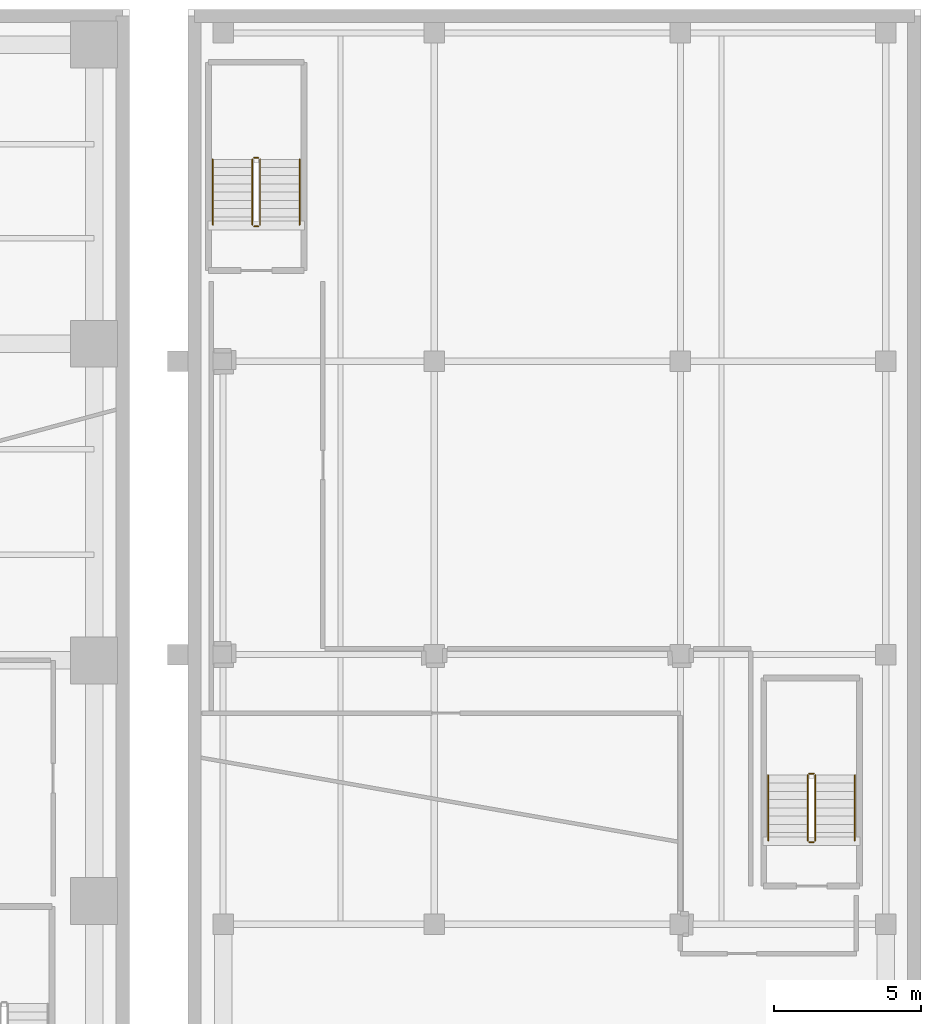
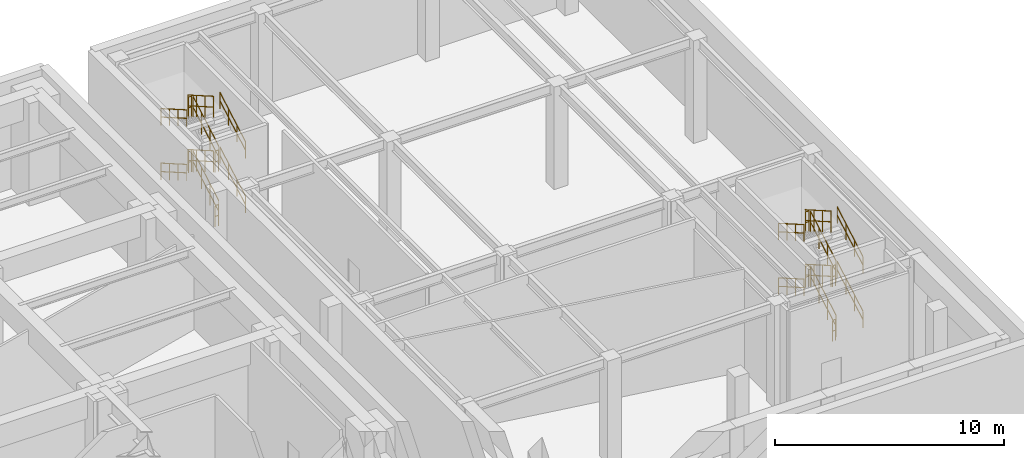
# One storey, part 12 of 12: 24 railings.
"""IFC4 building model written with IfcOpenShell, lengths in metres."""

from ifc_helpers import new_model, si_unit, direction, frame, origin, origin_2d, place, context, subcontext, project, spatial, circle, extrude, material, type_object, element, save


model = new_model("IFC4")

# Units and contexts
model_context = context("Model", 3, precision=1e-05, world=origin(), true_north=direction((0.0, 1.0)))
body_context = subcontext(model_context, "Body", "Model", "MODEL_VIEW")
ifc_project = project(units=[si_unit("LENGTHUNIT", "METRE"), si_unit("AREAUNIT", "SQUARE_METRE"), si_unit("VOLUMEUNIT", "CUBIC_METRE"), si_unit("PLANEANGLEUNIT", "RADIAN"), si_unit("MASSUNIT", "GRAM", prefix="KILO")], contexts=[model_context])

# Site, building, storey
site_placement = place(None, origin())
site = spatial("IfcSite", under=ifc_project, at=site_placement, CompositionType="ELEMENT")
building_placement = place(site_placement, origin())
building = spatial("IfcBuilding", under=site, at=building_placement, Name="Talar Marvaseh", CompositionType="ELEMENT")
storey_placement = place(building_placement, frame((0.0, 0.0, -5.800048828125)))
storey = spatial("IfcBuildingStorey", under=building, at=storey_placement, Name="B01", CompositionType="ELEMENT", Elevation=-5.800048828125)

# Railings
ifc_material = material(Name="Stainless Steel Grade 316", Category="steel")
railing_type_1 = type_object("IfcRailingType", Name="Brushed Stainless Wall Pitch Handrail 900", PredefinedType="HANDRAIL", material=ifc_material)
railing_1_placement = place(storey_placement, frame((57.81005859375, 40.64990234375, 0.1611328125)))
element("IfcRailing", 1, at=railing_1_placement, inside=storey, type_object=railing_type_1, Name="B01 MH-ST1 stair handrail 1", PredefinedType="HANDRAIL", context=body_context, shape_type="SweptSolid", body=[
    extrude(circle(Radius=0.02392578125, at=origin_2d()), frame((0.0, 0.0, 0.8759765625), z_axis=(0.0, 0.866768490956, 0.498710720845), x_axis=(-1.0, 0.0, 0.0)), (0.0, 0.0, 1.0), 2.584228515625),
    extrude(circle(Radius=0.02392578125, at=origin_2d()), frame((0.0, 0.0, 0.42578125), z_axis=(0.0, 0.866768490956, 0.498710720845), x_axis=(-1.0, 0.0, 0.0)), (0.0, 0.0, 1.0), 2.584228515625),
    extrude(circle(Radius=0.02099609375, at=origin_2d()), origin(), (0.0, 0.0, 1.0), 0.851806640625),
    extrude(circle(Radius=0.02099609375, at=origin_2d()), frame((0.0, 0.74658203125, 0.4296875)), (0.0, 0.0, 1.0), 0.851806640625),
    extrude(circle(Radius=0.02099609375, at=origin_2d()), frame((0.0, 1.493408203125, 0.859130859375)), (0.0, 0.0, 1.0), 0.851806640625),
    extrude(circle(Radius=0.02099609375, at=origin_2d()), frame((0.0, 2.239990234375, 1.288818359375)), (0.0, 0.0, 1.0), 0.851806640625),
])
railing_2_placement = place(storey_placement, frame((54.85009765625, 42.889892578125, 1.611083984375)))
element("IfcRailing", 2, at=railing_2_placement, inside=storey, type_object=railing_type_1, Name="B01 MH-ST1 stair handrail 2", PredefinedType="HANDRAIL", context=body_context, shape_type="SweptSolid", body=[
    extrude(circle(Radius=0.02392578125, at=origin_2d()), frame((0.0, 0.0, 0.8759765625), z_axis=(0.0, -0.866727653441, 0.498781690482), x_axis=(1.0, 0.0, 0.0)), (0.0, 0.0, 1.0), 2.58447265625),
    extrude(circle(Radius=0.02392578125, at=origin_2d()), frame((0.0, 0.0, 0.42578125), z_axis=(0.0, -0.866727653441, 0.498781690482), x_axis=(1.0, 0.0, 0.0)), (0.0, 0.0, 1.0), 2.58447265625),
    extrude(circle(Radius=0.02099609375, at=origin_2d()), origin(), (0.0, 0.0, 1.0), 0.851806640625),
    extrude(circle(Radius=0.02099609375, at=origin_2d()), frame((0.0, -0.74658203125, 0.4296875)), (0.0, 0.0, 1.0), 0.851806640625),
    extrude(circle(Radius=0.02099609375, at=origin_2d()), frame((0.0, -1.493408203125, 0.859375)), (0.0, 0.0, 1.0), 0.851806640625),
    extrude(circle(Radius=0.02099609375, at=origin_2d()), frame((0.0, -2.239990234375, 1.2890625)), (0.0, 0.0, 1.0), 0.851806640625),
])
railing_3_placement = place(storey_placement, frame((57.81005859375, 40.64990234375, 3.061279296875)))
element("IfcRailing", 3, at=railing_3_placement, inside=storey, type_object=railing_type_1, Name="B01 MH-ST1 stair handrail 3", PredefinedType="HANDRAIL", context=body_context, shape_type="SweptSolid", body=[
    extrude(circle(Radius=0.02392578125, at=origin_2d()), frame((0.0, 0.0, 0.8759765625), z_axis=(0.0, 0.866768490956, 0.498710720845), x_axis=(-1.0, 0.0, 0.0)), (0.0, 0.0, 1.0), 2.584228515625),
    extrude(circle(Radius=0.02392578125, at=origin_2d()), frame((0.0, 0.0, 0.42578125), z_axis=(0.0, 0.866768490956, 0.498710720845), x_axis=(-1.0, 0.0, 0.0)), (0.0, 0.0, 1.0), 2.584228515625),
    extrude(circle(Radius=0.02099609375, at=origin_2d()), origin(), (0.0, 0.0, 1.0), 0.851806640625),
    extrude(circle(Radius=0.02099609375, at=origin_2d()), frame((0.0, 0.74658203125, 0.4296875)), (0.0, 0.0, 1.0), 0.851806640625),
    extrude(circle(Radius=0.02099609375, at=origin_2d()), frame((0.0, 1.493408203125, 0.859130859375)), (0.0, 0.0, 1.0), 0.851806640625),
    extrude(circle(Radius=0.02099609375, at=origin_2d()), frame((0.0, 2.239990234375, 1.288818359375)), (0.0, 0.0, 1.0), 0.851806640625),
])
railing_4_placement = place(storey_placement, frame((54.85009765625, 42.889892578125, 4.51123046875)))
element("IfcRailing", 4, at=railing_4_placement, inside=storey, type_object=railing_type_1, Name="B01 MH-ST1 stair handrail 4", PredefinedType="HANDRAIL", context=body_context, shape_type="SweptSolid", body=[
    extrude(circle(Radius=0.02392578125, at=origin_2d()), frame((0.0, 0.0, 0.8759765625), z_axis=(0.0, -0.866768490956, 0.498710720845), x_axis=(1.0, 0.0, 0.0)), (0.0, 0.0, 1.0), 2.584228515625),
    extrude(circle(Radius=0.02392578125, at=origin_2d()), frame((0.0, 0.0, 0.42578125), z_axis=(0.0, -0.866768490956, 0.498710720845), x_axis=(1.0, 0.0, 0.0)), (0.0, 0.0, 1.0), 2.584228515625),
    extrude(circle(Radius=0.02099609375, at=origin_2d()), origin(), (0.0, 0.0, 1.0), 0.851806640625),
    extrude(circle(Radius=0.02099609375, at=origin_2d()), frame((0.0, -0.74658203125, 0.4296875)), (0.0, 0.0, 1.0), 0.851806640625),
    extrude(circle(Radius=0.02099609375, at=origin_2d()), frame((0.0, -1.493408203125, 0.859130859375)), (0.0, 0.0, 1.0), 0.851806640625),
    extrude(circle(Radius=0.02099609375, at=origin_2d()), frame((0.0, -2.239990234375, 1.288818359375)), (0.0, 0.0, 1.0), 0.851806640625),
])
railing_5_placement = place(storey_placement, frame((76.75, 19.64990234375, 0.1611328125)))
element("IfcRailing", 5, at=railing_5_placement, inside=storey, type_object=railing_type_1, Name="B01 MH-ST2 stair handrail 1", PredefinedType="HANDRAIL", context=body_context, shape_type="SweptSolid", body=[
    extrude(circle(Radius=0.02392578125, at=origin_2d()), frame((0.0, 0.0, 0.8759765625), z_axis=(0.0, 0.866768490956, 0.498710720845), x_axis=(-1.0, 0.0, 0.0)), (0.0, 0.0, 1.0), 2.584228515625),
    extrude(circle(Radius=0.02392578125, at=origin_2d()), frame((0.0, 0.0, 0.42578125), z_axis=(0.0, 0.866768490956, 0.498710720845), x_axis=(-1.0, 0.0, 0.0)), (0.0, 0.0, 1.0), 2.584228515625),
    extrude(circle(Radius=0.02099609375, at=origin_2d()), origin(), (0.0, 0.0, 1.0), 0.851806640625),
    extrude(circle(Radius=0.02099609375, at=origin_2d()), frame((0.0, 0.74658203125, 0.4296875)), (0.0, 0.0, 1.0), 0.851806640625),
    extrude(circle(Radius=0.02099609375, at=origin_2d()), frame((0.0, 1.493408203125, 0.859130859375)), (0.0, 0.0, 1.0), 0.851806640625),
    extrude(circle(Radius=0.02099609375, at=origin_2d()), frame((0.0, 2.239990234375, 1.288818359375)), (0.0, 0.0, 1.0), 0.851806640625),
])
railing_6_placement = place(storey_placement, frame((73.7900390625, 21.889892578125, 1.611083984375)))
element("IfcRailing", 6, at=railing_6_placement, inside=storey, type_object=railing_type_1, Name="B01 MH-ST2 stair handrail 2", PredefinedType="HANDRAIL", context=body_context, shape_type="SweptSolid", body=[
    extrude(circle(Radius=0.02392578125, at=origin_2d()), frame((0.0, 0.0, 0.8759765625), z_axis=(0.0, -0.866727653441, 0.498781690482), x_axis=(1.0, 0.0, 0.0)), (0.0, 0.0, 1.0), 2.58447265625),
    extrude(circle(Radius=0.02392578125, at=origin_2d()), frame((0.0, 0.0, 0.42578125), z_axis=(0.0, -0.866727653441, 0.498781690482), x_axis=(1.0, 0.0, 0.0)), (0.0, 0.0, 1.0), 2.58447265625),
    extrude(circle(Radius=0.02099609375, at=origin_2d()), origin(), (0.0, 0.0, 1.0), 0.851806640625),
    extrude(circle(Radius=0.02099609375, at=origin_2d()), frame((0.0, -0.74658203125, 0.4296875)), (0.0, 0.0, 1.0), 0.851806640625),
    extrude(circle(Radius=0.02099609375, at=origin_2d()), frame((0.0, -1.493408203125, 0.859375)), (0.0, 0.0, 1.0), 0.851806640625),
    extrude(circle(Radius=0.02099609375, at=origin_2d()), frame((0.0, -2.239990234375, 1.2890625)), (0.0, 0.0, 1.0), 0.851806640625),
])
railing_7_placement = place(storey_placement, frame((76.75, 19.64990234375, 3.061279296875)))
element("IfcRailing", 7, at=railing_7_placement, inside=storey, type_object=railing_type_1, Name="B01 MH-ST2 stair handrail 3", PredefinedType="HANDRAIL", context=body_context, shape_type="SweptSolid", body=[
    extrude(circle(Radius=0.02392578125, at=origin_2d()), frame((0.0, 0.0, 0.8759765625), z_axis=(0.0, 0.866768490956, 0.498710720845), x_axis=(-1.0, 0.0, 0.0)), (0.0, 0.0, 1.0), 2.584228515625),
    extrude(circle(Radius=0.02392578125, at=origin_2d()), frame((0.0, 0.0, 0.42578125), z_axis=(0.0, 0.866768490956, 0.498710720845), x_axis=(-1.0, 0.0, 0.0)), (0.0, 0.0, 1.0), 2.584228515625),
    extrude(circle(Radius=0.02099609375, at=origin_2d()), origin(), (0.0, 0.0, 1.0), 0.851806640625),
    extrude(circle(Radius=0.02099609375, at=origin_2d()), frame((0.0, 0.74658203125, 0.4296875)), (0.0, 0.0, 1.0), 0.851806640625),
    extrude(circle(Radius=0.02099609375, at=origin_2d()), frame((0.0, 1.493408203125, 0.859130859375)), (0.0, 0.0, 1.0), 0.851806640625),
    extrude(circle(Radius=0.02099609375, at=origin_2d()), frame((0.0, 2.239990234375, 1.288818359375)), (0.0, 0.0, 1.0), 0.851806640625),
])
railing_8_placement = place(storey_placement, frame((73.7900390625, 21.889892578125, 4.51123046875)))
element("IfcRailing", 8, at=railing_8_placement, inside=storey, type_object=railing_type_1, Name="B01 MH-ST2 stair handrail 4", PredefinedType="HANDRAIL", context=body_context, shape_type="SweptSolid", body=[
    extrude(circle(Radius=0.02392578125, at=origin_2d()), frame((0.0, 0.0, 0.8759765625), z_axis=(0.0, -0.866768490956, 0.498710720845), x_axis=(1.0, 0.0, 0.0)), (0.0, 0.0, 1.0), 2.584228515625),
    extrude(circle(Radius=0.02392578125, at=origin_2d()), frame((0.0, 0.0, 0.42578125), z_axis=(0.0, -0.866768490956, 0.498710720845), x_axis=(1.0, 0.0, 0.0)), (0.0, 0.0, 1.0), 2.584228515625),
    extrude(circle(Radius=0.02099609375, at=origin_2d()), origin(), (0.0, 0.0, 1.0), 0.851806640625),
    extrude(circle(Radius=0.02099609375, at=origin_2d()), frame((0.0, -0.74658203125, 0.4296875)), (0.0, 0.0, 1.0), 0.851806640625),
    extrude(circle(Radius=0.02099609375, at=origin_2d()), frame((0.0, -1.493408203125, 0.859130859375)), (0.0, 0.0, 1.0), 0.851806640625),
    extrude(circle(Radius=0.02099609375, at=origin_2d()), frame((0.0, -2.239990234375, 1.288818359375)), (0.0, 0.0, 1.0), 0.851806640625),
])
railing_type_2 = type_object("IfcRailingType", Name="Painted Steel Core Stair Well Guardrail 1150", PredefinedType="GUARDRAIL", material=ifc_material)
railing_9_placement = place(storey_placement, frame((56.4599609375, 40.64990234375, 0.1611328125)))
element("IfcRailing", 9, at=railing_9_placement, inside=storey, type_object=railing_type_2, Name="B01 MH-ST1 stair guard 1", PredefinedType="GUARDRAIL", context=body_context, shape_type="SweptSolid", body=[
    extrude(circle(Radius=0.02392578125, at=origin_2d()), frame((0.0, 0.0, 1.1259765625), z_axis=(0.0, 0.866768490956, 0.498710720845), x_axis=(-1.0, 0.0, 0.0)), (0.0, 0.0, 1.0), 2.584228515625),
    extrude(circle(Radius=0.02392578125, at=origin_2d()), frame((0.0, 0.0, 0.55078125), z_axis=(0.0, 0.866768490956, 0.498710720845), x_axis=(-1.0, 0.0, 0.0)), (0.0, 0.0, 1.0), 2.584228515625),
    extrude(circle(Radius=0.02099609375, at=origin_2d()), origin(), (0.0, 0.0, 1.0), 1.101806640625),
    extrude(circle(Radius=0.02099609375, at=origin_2d()), frame((0.0, 0.74658203125, 0.4296875)), (0.0, 0.0, 1.0), 1.101806640625),
    extrude(circle(Radius=0.02099609375, at=origin_2d()), frame((0.0, 1.493408203125, 0.859130859375)), (0.0, 0.0, 1.0), 1.101806640625),
    extrude(circle(Radius=0.02099609375, at=origin_2d()), frame((0.0, 2.239990234375, 1.288818359375)), (0.0, 0.0, 1.0), 1.101806640625),
])
railing_10_placement = place(storey_placement, frame((56.409912109375, 42.93994140625, 1.449951171875)))
element("IfcRailing", 10, at=railing_10_placement, inside=storey, type_object=railing_type_2, Name="B01 MH-ST1 stair guard 2", PredefinedType="GUARDRAIL", context=body_context, shape_type="SweptSolid", body=[
    extrude(circle(Radius=0.02392578125, at=origin_2d()), frame((0.0, 0.0, 1.1259765625), z_axis=(-1.0, 0.0, 0.0), x_axis=(0.0, -1.0, 0.0)), (0.0, 0.0, 1.0), 0.159912109375),
    extrude(circle(Radius=0.02392578125, at=origin_2d()), frame((0.0, 0.0, 0.55078125), z_axis=(-1.0, 0.0, 0.0), x_axis=(0.0, -1.0, 0.0)), (0.0, 0.0, 1.0), 0.159912109375),
    extrude(circle(Radius=0.02099609375, at=origin_2d()), origin(), (0.0, 0.0, 1.0), 1.101806640625),
    extrude(circle(Radius=0.02099609375, at=origin_2d()), frame((-0.159912109375, 0.0, 0.0)), (0.0, 0.0, 1.0), 1.101806640625),
])
railing_11_placement = place(storey_placement, frame((56.199951171875, 42.889892578125, 1.611083984375)))
element("IfcRailing", 11, at=railing_11_placement, inside=storey, type_object=railing_type_2, Name="B01 MH-ST1 stair guard 3", PredefinedType="GUARDRAIL", context=body_context, shape_type="SweptSolid", body=[
    extrude(circle(Radius=0.02392578125, at=origin_2d()), frame((0.0, 0.0, 1.1259765625), z_axis=(0.0, -0.866727653441, 0.498781690482), x_axis=(1.0, 0.0, 0.0)), (0.0, 0.0, 1.0), 2.58447265625),
    extrude(circle(Radius=0.02392578125, at=origin_2d()), frame((0.0, 0.0, 0.55078125), z_axis=(0.0, -0.866727653441, 0.498781690482), x_axis=(1.0, 0.0, 0.0)), (0.0, 0.0, 1.0), 2.58447265625),
    extrude(circle(Radius=0.02099609375, at=origin_2d()), origin(), (0.0, 0.0, 1.0), 1.101806640625),
    extrude(circle(Radius=0.02099609375, at=origin_2d()), frame((0.0, -0.74658203125, 0.4296875)), (0.0, 0.0, 1.0), 1.101806640625),
    extrude(circle(Radius=0.02099609375, at=origin_2d()), frame((0.0, -1.493408203125, 0.859375)), (0.0, 0.0, 1.0), 1.101806640625),
    extrude(circle(Radius=0.02099609375, at=origin_2d()), frame((0.0, -2.239990234375, 1.2890625)), (0.0, 0.0, 1.0), 1.101806640625),
])
railing_12_placement = place(storey_placement, frame((56.409912109375, 40.60009765625, 2.900146484375)))
element("IfcRailing", 12, at=railing_12_placement, inside=storey, type_object=railing_type_2, Name="B01 MH-ST1 stair guard 4", PredefinedType="GUARDRAIL", context=body_context, shape_type="SweptSolid", body=[
    extrude(circle(Radius=0.02392578125, at=origin_2d()), frame((0.0, 0.0, 1.1259765625), z_axis=(-1.0, 0.0, 0.0), x_axis=(0.0, -1.0, 0.0)), (0.0, 0.0, 1.0), 0.159912109375),
    extrude(circle(Radius=0.02392578125, at=origin_2d()), frame((0.0, 0.0, 0.55078125), z_axis=(-1.0, 0.0, 0.0), x_axis=(0.0, -1.0, 0.0)), (0.0, 0.0, 1.0), 0.159912109375),
    extrude(circle(Radius=0.02099609375, at=origin_2d()), origin(), (0.0, 0.0, 1.0), 1.101806640625),
    extrude(circle(Radius=0.02099609375, at=origin_2d()), frame((-0.159912109375, 0.0, 0.0)), (0.0, 0.0, 1.0), 1.101806640625),
])
railing_13_placement = place(storey_placement, frame((56.4599609375, 40.64990234375, 3.061279296875)))
element("IfcRailing", 13, at=railing_13_placement, inside=storey, type_object=railing_type_2, Name="B01 MH-ST1 stair guard 5", PredefinedType="GUARDRAIL", context=body_context, shape_type="SweptSolid", body=[
    extrude(circle(Radius=0.02392578125, at=origin_2d()), frame((0.0, 0.0, 1.1259765625), z_axis=(0.0, 0.866768490956, 0.498710720845), x_axis=(-1.0, 0.0, 0.0)), (0.0, 0.0, 1.0), 2.584228515625),
    extrude(circle(Radius=0.02392578125, at=origin_2d()), frame((0.0, 0.0, 0.55078125), z_axis=(0.0, 0.866768490956, 0.498710720845), x_axis=(-1.0, 0.0, 0.0)), (0.0, 0.0, 1.0), 2.584228515625),
    extrude(circle(Radius=0.02099609375, at=origin_2d()), origin(), (0.0, 0.0, 1.0), 1.101806640625),
    extrude(circle(Radius=0.02099609375, at=origin_2d()), frame((0.0, 0.74658203125, 0.4296875)), (0.0, 0.0, 1.0), 1.101806640625),
    extrude(circle(Radius=0.02099609375, at=origin_2d()), frame((0.0, 1.493408203125, 0.859130859375)), (0.0, 0.0, 1.0), 1.101806640625),
    extrude(circle(Radius=0.02099609375, at=origin_2d()), frame((0.0, 2.239990234375, 1.288818359375)), (0.0, 0.0, 1.0), 1.101806640625),
])
railing_14_placement = place(storey_placement, frame((56.409912109375, 42.93994140625, 4.35009765625)))
element("IfcRailing", 14, at=railing_14_placement, inside=storey, type_object=railing_type_2, Name="B01 MH-ST1 stair guard 6", PredefinedType="GUARDRAIL", context=body_context, shape_type="SweptSolid", body=[
    extrude(circle(Radius=0.02392578125, at=origin_2d()), frame((0.0, 0.0, 1.1259765625), z_axis=(-1.0, 0.0, 0.0), x_axis=(0.0, -1.0, 0.0)), (0.0, 0.0, 1.0), 0.159912109375),
    extrude(circle(Radius=0.02392578125, at=origin_2d()), frame((0.0, 0.0, 0.55078125), z_axis=(-1.0, 0.0, 0.0), x_axis=(0.0, -1.0, 0.0)), (0.0, 0.0, 1.0), 0.159912109375),
    extrude(circle(Radius=0.02099609375, at=origin_2d()), origin(), (0.0, 0.0, 1.0), 1.101806640625),
    extrude(circle(Radius=0.02099609375, at=origin_2d()), frame((-0.159912109375, 0.0, 0.0)), (0.0, 0.0, 1.0), 1.101806640625),
])
railing_15_placement = place(storey_placement, frame((56.199951171875, 42.889892578125, 4.51123046875)))
element("IfcRailing", 15, at=railing_15_placement, inside=storey, type_object=railing_type_2, Name="B01 MH-ST1 stair guard 7", PredefinedType="GUARDRAIL", context=body_context, shape_type="SweptSolid", body=[
    extrude(circle(Radius=0.02392578125, at=origin_2d()), frame((0.0, 0.0, 1.1259765625), z_axis=(0.0, -0.866768490956, 0.498710720845), x_axis=(1.0, 0.0, 0.0)), (0.0, 0.0, 1.0), 2.584228515625),
    extrude(circle(Radius=0.02392578125, at=origin_2d()), frame((0.0, 0.0, 0.55078125), z_axis=(0.0, -0.866768490956, 0.498710720845), x_axis=(1.0, 0.0, 0.0)), (0.0, 0.0, 1.0), 2.584228515625),
    extrude(circle(Radius=0.02099609375, at=origin_2d()), origin(), (0.0, 0.0, 1.0), 1.101806640625),
    extrude(circle(Radius=0.02099609375, at=origin_2d()), frame((0.0, -0.74658203125, 0.4296875)), (0.0, 0.0, 1.0), 1.101806640625),
    extrude(circle(Radius=0.02099609375, at=origin_2d()), frame((0.0, -1.493408203125, 0.859130859375)), (0.0, 0.0, 1.0), 1.101806640625),
    extrude(circle(Radius=0.02099609375, at=origin_2d()), frame((0.0, -2.239990234375, 1.288818359375)), (0.0, 0.0, 1.0), 1.101806640625),
])
railing_16_placement = place(storey_placement, frame((56.409912109375, 40.60009765625, 0.0)))
element("IfcRailing", 16, at=railing_16_placement, inside=storey, type_object=railing_type_2, Name="B01 MH-ST1 stair guard 8", PredefinedType="GUARDRAIL", context=body_context, shape_type="SweptSolid", body=[
    extrude(circle(Radius=0.02392578125, at=origin_2d()), frame((0.0, 0.0, 1.1259765625), z_axis=(-1.0, 0.0, 0.0), x_axis=(0.0, -1.0, 0.0)), (0.0, 0.0, 1.0), 0.159912109375),
    extrude(circle(Radius=0.02392578125, at=origin_2d()), frame((0.0, 0.0, 0.55078125), z_axis=(-1.0, 0.0, 0.0), x_axis=(0.0, -1.0, 0.0)), (0.0, 0.0, 1.0), 0.159912109375),
    extrude(circle(Radius=0.02099609375, at=origin_2d()), origin(), (0.0, 0.0, 1.0), 1.101806640625),
    extrude(circle(Radius=0.02099609375, at=origin_2d()), frame((-0.159912109375, 0.0, 0.0)), (0.0, 0.0, 1.0), 1.101806640625),
])
railing_17_placement = place(storey_placement, frame((75.39990234375, 19.64990234375, 0.1611328125)))
element("IfcRailing", 17, at=railing_17_placement, inside=storey, type_object=railing_type_2, Name="B01 MH-ST2 stair guard 1", PredefinedType="GUARDRAIL", context=body_context, shape_type="SweptSolid", body=[
    extrude(circle(Radius=0.02392578125, at=origin_2d()), frame((0.0, 0.0, 1.1259765625), z_axis=(0.0, 0.866768490956, 0.498710720845), x_axis=(-1.0, 0.0, 0.0)), (0.0, 0.0, 1.0), 2.584228515625),
    extrude(circle(Radius=0.02392578125, at=origin_2d()), frame((0.0, 0.0, 0.55078125), z_axis=(0.0, 0.866768490956, 0.498710720845), x_axis=(-1.0, 0.0, 0.0)), (0.0, 0.0, 1.0), 2.584228515625),
    extrude(circle(Radius=0.02099609375, at=origin_2d()), origin(), (0.0, 0.0, 1.0), 1.101806640625),
    extrude(circle(Radius=0.02099609375, at=origin_2d()), frame((0.0, 0.74658203125, 0.4296875)), (0.0, 0.0, 1.0), 1.101806640625),
    extrude(circle(Radius=0.02099609375, at=origin_2d()), frame((0.0, 1.493408203125, 0.859130859375)), (0.0, 0.0, 1.0), 1.101806640625),
    extrude(circle(Radius=0.02099609375, at=origin_2d()), frame((0.0, 2.239990234375, 1.288818359375)), (0.0, 0.0, 1.0), 1.101806640625),
])
railing_18_placement = place(storey_placement, frame((75.35009765625, 21.93994140625, 1.449951171875)))
element("IfcRailing", 18, at=railing_18_placement, inside=storey, type_object=railing_type_2, Name="B01 MH-ST2 stair guard 2", PredefinedType="GUARDRAIL", context=body_context, shape_type="SweptSolid", body=[
    extrude(circle(Radius=0.02392578125, at=origin_2d()), frame((0.0, 0.0, 1.1259765625), z_axis=(-1.0, 0.0, 0.0), x_axis=(0.0, -1.0, 0.0)), (0.0, 0.0, 1.0), 0.16015625),
    extrude(circle(Radius=0.02392578125, at=origin_2d()), frame((0.0, 0.0, 0.55078125), z_axis=(-1.0, 0.0, 0.0), x_axis=(0.0, -1.0, 0.0)), (0.0, 0.0, 1.0), 0.16015625),
    extrude(circle(Radius=0.02099609375, at=origin_2d()), origin(), (0.0, 0.0, 1.0), 1.101806640625),
    extrude(circle(Radius=0.02099609375, at=origin_2d()), frame((-0.16015625, 0.0, 0.0)), (0.0, 0.0, 1.0), 1.101806640625),
])
railing_19_placement = place(storey_placement, frame((75.139892578125, 21.889892578125, 1.611083984375)))
element("IfcRailing", 19, at=railing_19_placement, inside=storey, type_object=railing_type_2, Name="B01 MH-ST2 stair guard 3", PredefinedType="GUARDRAIL", context=body_context, shape_type="SweptSolid", body=[
    extrude(circle(Radius=0.02392578125, at=origin_2d()), frame((0.0, 0.0, 1.1259765625), z_axis=(0.0, -0.866727653441, 0.498781690482), x_axis=(1.0, 0.0, 0.0)), (0.0, 0.0, 1.0), 2.58447265625),
    extrude(circle(Radius=0.02392578125, at=origin_2d()), frame((0.0, 0.0, 0.55078125), z_axis=(0.0, -0.866727653441, 0.498781690482), x_axis=(1.0, 0.0, 0.0)), (0.0, 0.0, 1.0), 2.58447265625),
    extrude(circle(Radius=0.02099609375, at=origin_2d()), origin(), (0.0, 0.0, 1.0), 1.101806640625),
    extrude(circle(Radius=0.02099609375, at=origin_2d()), frame((0.0, -0.74658203125, 0.4296875)), (0.0, 0.0, 1.0), 1.101806640625),
    extrude(circle(Radius=0.02099609375, at=origin_2d()), frame((0.0, -1.493408203125, 0.859375)), (0.0, 0.0, 1.0), 1.101806640625),
    extrude(circle(Radius=0.02099609375, at=origin_2d()), frame((0.0, -2.239990234375, 1.2890625)), (0.0, 0.0, 1.0), 1.101806640625),
])
railing_20_placement = place(storey_placement, frame((75.35009765625, 19.60009765625, 2.900146484375)))
element("IfcRailing", 20, at=railing_20_placement, inside=storey, type_object=railing_type_2, Name="B01 MH-ST2 stair guard 4", PredefinedType="GUARDRAIL", context=body_context, shape_type="SweptSolid", body=[
    extrude(circle(Radius=0.02392578125, at=origin_2d()), frame((0.0, 0.0, 1.1259765625), z_axis=(-1.0, 0.0, 0.0), x_axis=(0.0, -1.0, 0.0)), (0.0, 0.0, 1.0), 0.16015625),
    extrude(circle(Radius=0.02392578125, at=origin_2d()), frame((0.0, 0.0, 0.55078125), z_axis=(-1.0, 0.0, 0.0), x_axis=(0.0, -1.0, 0.0)), (0.0, 0.0, 1.0), 0.16015625),
    extrude(circle(Radius=0.02099609375, at=origin_2d()), origin(), (0.0, 0.0, 1.0), 1.101806640625),
    extrude(circle(Radius=0.02099609375, at=origin_2d()), frame((-0.16015625, 0.0, 0.0)), (0.0, 0.0, 1.0), 1.101806640625),
])
railing_21_placement = place(storey_placement, frame((75.39990234375, 19.64990234375, 3.061279296875)))
element("IfcRailing", 21, at=railing_21_placement, inside=storey, type_object=railing_type_2, Name="B01 MH-ST2 stair guard 5", PredefinedType="GUARDRAIL", context=body_context, shape_type="SweptSolid", body=[
    extrude(circle(Radius=0.02392578125, at=origin_2d()), frame((0.0, 0.0, 1.1259765625), z_axis=(0.0, 0.866768490956, 0.498710720845), x_axis=(-1.0, 0.0, 0.0)), (0.0, 0.0, 1.0), 2.584228515625),
    extrude(circle(Radius=0.02392578125, at=origin_2d()), frame((0.0, 0.0, 0.55078125), z_axis=(0.0, 0.866768490956, 0.498710720845), x_axis=(-1.0, 0.0, 0.0)), (0.0, 0.0, 1.0), 2.584228515625),
    extrude(circle(Radius=0.02099609375, at=origin_2d()), origin(), (0.0, 0.0, 1.0), 1.101806640625),
    extrude(circle(Radius=0.02099609375, at=origin_2d()), frame((0.0, 0.74658203125, 0.4296875)), (0.0, 0.0, 1.0), 1.101806640625),
    extrude(circle(Radius=0.02099609375, at=origin_2d()), frame((0.0, 1.493408203125, 0.859130859375)), (0.0, 0.0, 1.0), 1.101806640625),
    extrude(circle(Radius=0.02099609375, at=origin_2d()), frame((0.0, 2.239990234375, 1.288818359375)), (0.0, 0.0, 1.0), 1.101806640625),
])
railing_22_placement = place(storey_placement, frame((75.35009765625, 21.93994140625, 4.35009765625)))
element("IfcRailing", 22, at=railing_22_placement, inside=storey, type_object=railing_type_2, Name="B01 MH-ST2 stair guard 6", PredefinedType="GUARDRAIL", context=body_context, shape_type="SweptSolid", body=[
    extrude(circle(Radius=0.02392578125, at=origin_2d()), frame((0.0, 0.0, 1.1259765625), z_axis=(-1.0, 0.0, 0.0), x_axis=(0.0, -1.0, 0.0)), (0.0, 0.0, 1.0), 0.16015625),
    extrude(circle(Radius=0.02392578125, at=origin_2d()), frame((0.0, 0.0, 0.55078125), z_axis=(-1.0, 0.0, 0.0), x_axis=(0.0, -1.0, 0.0)), (0.0, 0.0, 1.0), 0.16015625),
    extrude(circle(Radius=0.02099609375, at=origin_2d()), origin(), (0.0, 0.0, 1.0), 1.101806640625),
    extrude(circle(Radius=0.02099609375, at=origin_2d()), frame((-0.16015625, 0.0, 0.0)), (0.0, 0.0, 1.0), 1.101806640625),
])
railing_23_placement = place(storey_placement, frame((75.139892578125, 21.889892578125, 4.51123046875)))
element("IfcRailing", 23, at=railing_23_placement, inside=storey, type_object=railing_type_2, Name="B01 MH-ST2 stair guard 7", PredefinedType="GUARDRAIL", context=body_context, shape_type="SweptSolid", body=[
    extrude(circle(Radius=0.02392578125, at=origin_2d()), frame((0.0, 0.0, 1.1259765625), z_axis=(0.0, -0.866768490956, 0.498710720845), x_axis=(1.0, 0.0, 0.0)), (0.0, 0.0, 1.0), 2.584228515625),
    extrude(circle(Radius=0.02392578125, at=origin_2d()), frame((0.0, 0.0, 0.55078125), z_axis=(0.0, -0.866768490956, 0.498710720845), x_axis=(1.0, 0.0, 0.0)), (0.0, 0.0, 1.0), 2.584228515625),
    extrude(circle(Radius=0.02099609375, at=origin_2d()), origin(), (0.0, 0.0, 1.0), 1.101806640625),
    extrude(circle(Radius=0.02099609375, at=origin_2d()), frame((0.0, -0.74658203125, 0.4296875)), (0.0, 0.0, 1.0), 1.101806640625),
    extrude(circle(Radius=0.02099609375, at=origin_2d()), frame((0.0, -1.493408203125, 0.859130859375)), (0.0, 0.0, 1.0), 1.101806640625),
    extrude(circle(Radius=0.02099609375, at=origin_2d()), frame((0.0, -2.239990234375, 1.288818359375)), (0.0, 0.0, 1.0), 1.101806640625),
])
railing_24_placement = place(storey_placement, frame((75.35009765625, 19.60009765625, 0.0)))
element("IfcRailing", 24, at=railing_24_placement, inside=storey, type_object=railing_type_2, Name="B01 MH-ST2 stair guard 8", PredefinedType="GUARDRAIL", context=body_context, shape_type="SweptSolid", body=[
    extrude(circle(Radius=0.02392578125, at=origin_2d()), frame((0.0, 0.0, 1.1259765625), z_axis=(-1.0, 0.0, 0.0), x_axis=(0.0, -1.0, 0.0)), (0.0, 0.0, 1.0), 0.16015625),
    extrude(circle(Radius=0.02392578125, at=origin_2d()), frame((0.0, 0.0, 0.55078125), z_axis=(-1.0, 0.0, 0.0), x_axis=(0.0, -1.0, 0.0)), (0.0, 0.0, 1.0), 0.16015625),
    extrude(circle(Radius=0.02099609375, at=origin_2d()), origin(), (0.0, 0.0, 1.0), 1.101806640625),
    extrude(circle(Radius=0.02099609375, at=origin_2d()), frame((-0.16015625, 0.0, 0.0)), (0.0, 0.0, 1.0), 1.101806640625),
])

save(model, "model.ifc")
